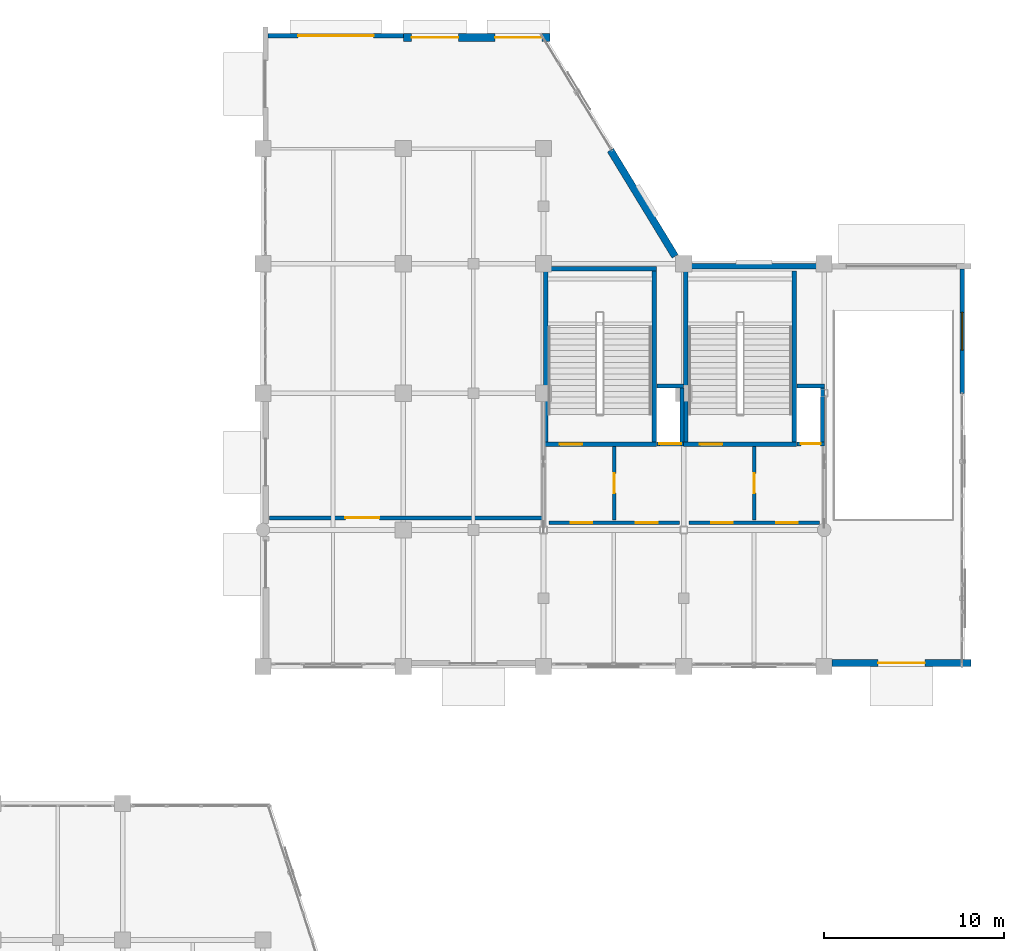
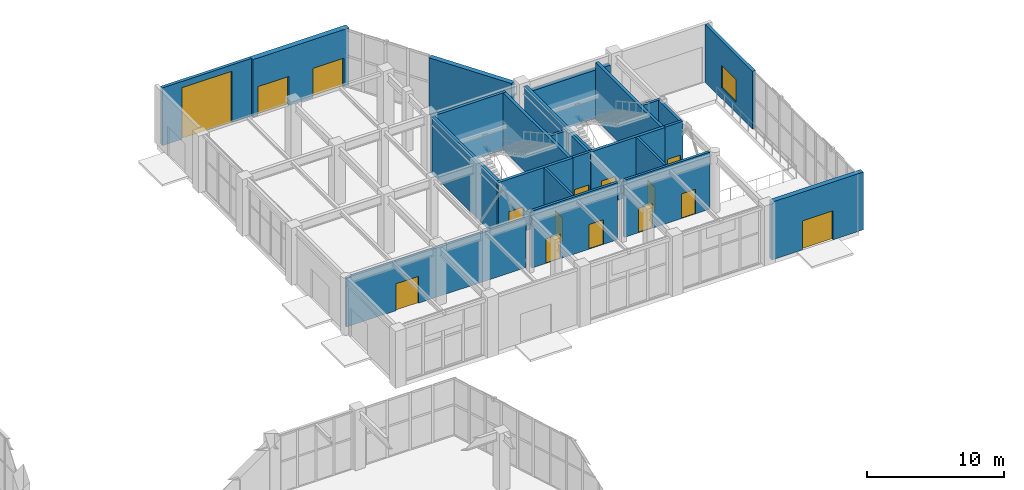
# One storey, part 126 of 139: 24 walls, 15 doors, 1 window, 16 openings.
"""IFC4 building model written with IfcOpenShell, lengths in metres."""

from ifc_helpers import new_model, si_unit, direction, frame, frame_2d, origin, place, context, subcontext, project, spatial, rectangle, extrude, material, layer, layer_set, type_object, element, fill, save


model = new_model("IFC4")

# Units and contexts
model_context = context("Model", 3, precision=1e-05, world=origin(), true_north=direction((0.0, 1.0)))
body_context = subcontext(model_context, "Body", "Model", "MODEL_VIEW")
ifc_project = project(units=[si_unit("LENGTHUNIT", "METRE"), si_unit("AREAUNIT", "SQUARE_METRE"), si_unit("VOLUMEUNIT", "CUBIC_METRE"), si_unit("PLANEANGLEUNIT", "RADIAN"), si_unit("MASSUNIT", "GRAM", prefix="KILO")], contexts=[model_context])

# Site, building, storey
site_placement = place(None, origin())
site = spatial("IfcSite", under=ifc_project, at=site_placement, CompositionType="ELEMENT")
building_placement = place(site_placement, origin())
building = spatial("IfcBuilding", under=site, at=building_placement, Name="Xicomal Pleat Aquarium", CompositionType="ELEMENT")
storey_placement = place(building_placement, origin())
storey = spatial("IfcBuildingStorey", under=building, at=storey_placement, Name="L01", CompositionType="ELEMENT", Elevation=0.0)

# Wall, opening, door
ifc_material_1 = material(Name="Concrete C40/50", Category="concrete")
ifc_layer_1 = layer(ifc_material_1, 0.219970703125)
ifc_layer_set_1 = layer_set([ifc_layer_1], Name="Concrete C40/50")
wall_type_1 = type_object("IfcWallType", Name="WAL-COR-220", PredefinedType="SHEAR", material=ifc_layer_set_1)
wall_1_placement = place(storey_placement, frame((147.89990234375, 88.389892578125, 0.0), z_axis=(0.0, 0.0, 1.0), x_axis=(1.0, 0.0, 0.0)))
wall_1 = element("IfcWall", 1, at=wall_1_placement, inside=storey, type_object=wall_type_1, Name="L01 LF-05 lift shaft wall CW-L01-C5-LS", PredefinedType="SHEAR", context=body_context, shape_type="SweptSolid", body=[
    extrude(rectangle(XDim=1.489990234375, YDim=0.219970703125, at=frame_2d((0.7451171875, 0.0))), origin(), (0.0, 0.0, 1.0), 5.10009765625),
])
opening_1_placement = place(wall_1_placement, frame((0.14501953125, 0.0, 0.0)))
opening_1 = element("IfcOpeningElement", 2, at=opening_1_placement, cuts=wall_1, Name="Opening LD-05-L01", PredefinedType="OPENING", context=body_context, shape_type="SweptSolid", body=[
    extrude(rectangle(XDim=1.199951171875, YDim=2.199951171875, at=frame_2d((0.60009765625, 1.10009765625))), frame((0.0, 0.119873046875, 0.0), z_axis=(0.0, -1.0, 0.0), x_axis=(1.0, 0.0, 0.0)), (0.0, 0.0, 1.0), 0.239990234375),
])
ifc_material_2 = material(Name="Brushed stainless steel 304", Category="steel")
door_type_1 = type_object("IfcDoorType", Name="DOR-LD-1200x2200", OperationType="DOUBLE_DOOR_SLIDING", PredefinedType="DOOR", material=ifc_material_2)
door_1_placement = place(opening_1_placement, origin())
door_1 = element("IfcDoor", 3, at=door_1_placement, inside=storey, type_object=door_type_1, Name="L01 LF-05 sliding lift landing door", OperationType="DOUBLE_DOOR_SLIDING", OverallHeight=2.199951171875, OverallWidth=1.199951171875, PredefinedType="DOOR", context=body_context, shape_type="SweptSolid", body=[
    extrude(rectangle(XDim=1.199951171875, YDim=2.199951171875, at=frame_2d((0.60009765625, 1.10009765625))), frame((0.0, 0.02490234375, 0.0), z_axis=(0.0, -1.0, 0.0), x_axis=(1.0, 0.0, 0.0)), (0.0, 0.0, 1.0), 0.050048828125),
])
fill(opening_1, door_1)

# Walls
wall_2_placement = place(storey_placement, frame((147.89990234375, 91.610107421875, 0.0), z_axis=(0.0, 0.0, 1.0), x_axis=(1.0, 0.0, 0.0)))
element("IfcWall", 4, at=wall_2_placement, inside=storey, type_object=wall_type_1, Name="L01 LF-05 lift shaft wall CW-L01-C5-LN", PredefinedType="SHEAR", context=body_context, shape_type="SweptSolid", body=[
    extrude(rectangle(XDim=1.489990234375, YDim=0.219970703125, at=frame_2d((0.7451171875, 0.0))), origin(), (0.0, 0.0, 1.0), 5.10009765625),
])
wall_3_placement = place(storey_placement, frame((149.31005859375, 88.5, 0.0), z_axis=(0.0, 0.0, 1.0), x_axis=(0.0, 1.0, 0.0)))
element("IfcWall", 5, at=wall_3_placement, inside=storey, type_object=wall_type_1, Name="L01 LF-05 lift shaft wall CW-L01-C5-LE", PredefinedType="SHEAR", context=body_context, shape_type="SweptSolid", body=[
    extrude(rectangle(XDim=3.0, YDim=0.219970703125, at=frame_2d((1.5, 0.0))), origin(), (0.0, 0.0, 1.0), 5.10009765625),
])

# Wall, opening, door
wall_4_placement = place(storey_placement, frame((155.699951171875, 88.389892578125, 0.0), z_axis=(0.0, 0.0, 1.0), x_axis=(1.0, 0.0, 0.0)))
wall_4 = element("IfcWall", 6, at=wall_4_placement, inside=storey, type_object=wall_type_1, Name="L01 LF-06 lift shaft wall CW-L01-C6-LS", PredefinedType="SHEAR", context=body_context, shape_type="SweptSolid", body=[
    extrude(rectangle(XDim=1.52001953125, YDim=0.219970703125, at=frame_2d((0.760009765625, 0.0))), origin(), (0.0, 0.0, 1.0), 5.10009765625),
])
opening_2_placement = place(wall_4_placement, frame((0.2099609375, 0.0, 0.0)))
opening_2 = element("IfcOpeningElement", 7, at=opening_2_placement, cuts=wall_4, Name="Opening LD-06-L01", PredefinedType="OPENING", context=body_context, shape_type="SweptSolid", body=[
    extrude(rectangle(XDim=1.10009765625, YDim=2.14990234375, at=frame_2d((0.550048828125, 1.074951171875))), frame((0.0, 0.119873046875, 0.0), z_axis=(0.0, -1.0, 0.0), x_axis=(1.0, 0.0, 0.0)), (0.0, 0.0, 1.0), 0.239990234375),
])
ifc_material_3 = material(Name="Brushed stainless steel 304", Category="steel")
door_type_2 = type_object("IfcDoorType", Name="DOR-LD-1100x2150", OperationType="DOUBLE_DOOR_SLIDING", PredefinedType="DOOR", material=ifc_material_3)
door_2_placement = place(opening_2_placement, origin())
door_2 = element("IfcDoor", 8, at=door_2_placement, inside=storey, type_object=door_type_2, Name="L01 LF-06 sliding lift landing door", OperationType="DOUBLE_DOOR_SLIDING", OverallHeight=2.14990234375, OverallWidth=1.10009765625, PredefinedType="DOOR", context=body_context, shape_type="SweptSolid", body=[
    extrude(rectangle(XDim=1.10009765625, YDim=2.14990234375, at=frame_2d((0.550048828125, 1.074951171875))), frame((0.0, 0.02490234375, 0.0), z_axis=(0.0, -1.0, 0.0), x_axis=(1.0, 0.0, 0.0)), (0.0, 0.0, 1.0), 0.050048828125),
])
fill(opening_2, door_2)

# Walls
wall_5_placement = place(storey_placement, frame((155.699951171875, 91.610107421875, 0.0), z_axis=(0.0, 0.0, 1.0), x_axis=(1.0, 0.0, 0.0)))
element("IfcWall", 9, at=wall_5_placement, inside=storey, type_object=wall_type_1, Name="L01 LF-06 lift shaft wall CW-L01-C6-LN", PredefinedType="SHEAR", context=body_context, shape_type="SweptSolid", body=[
    extrude(rectangle(XDim=1.52001953125, YDim=0.219970703125, at=frame_2d((0.760009765625, 0.0))), origin(), (0.0, 0.0, 1.0), 5.10009765625),
])
wall_6_placement = place(storey_placement, frame((157.110107421875, 88.5, 0.0), z_axis=(0.0, 0.0, 1.0), x_axis=(0.0, 1.0, 0.0)))
element("IfcWall", 10, at=wall_6_placement, inside=storey, type_object=wall_type_1, Name="L01 LF-06 lift shaft wall CW-L01-C6-LE", PredefinedType="SHEAR", context=body_context, shape_type="SweptSolid", body=[
    extrude(rectangle(XDim=3.0, YDim=0.219970703125, at=frame_2d((1.5, 0.0))), origin(), (0.0, 0.0, 1.0), 5.10009765625),
])

# Wall, opening, door
ifc_material_4 = material(Name="Concrete C40/50", Category="concrete")
ifc_layer_2 = layer(ifc_material_4, 0.25)
ifc_layer_set_2 = layer_set([ifc_layer_2], Name="Concrete C40/50")
wall_type_2 = type_object("IfcWallType", Name="WAL-COR-250", PredefinedType="SHEAR", material=ifc_layer_set_2)
wall_7_placement = place(storey_placement, frame((141.590087890625, 88.375, 0.0), z_axis=(0.0, 0.0, 1.0), x_axis=(1.0, 0.0, 0.0)))
wall_7 = element("IfcWall", 11, at=wall_7_placement, inside=storey, type_object=wall_type_2, Name="L01 CORE-5 stair shear wall CW-L01-C5-SS", PredefinedType="SHEAR", context=body_context, shape_type="SweptSolid", body=[
    extrude(rectangle(XDim=6.280029296875, YDim=0.25, at=frame_2d((3.14013671875, 0.0))), origin(), (0.0, 0.0, 1.0), 5.10009765625),
])
opening_3_placement = place(wall_7_placement, frame((0.89990234375, 0.0, 0.0)))
opening_3 = element("IfcOpeningElement", 12, at=opening_3_placement, cuts=wall_7, Name="Opening SD-05-L01", PredefinedType="OPENING", context=body_context, shape_type="SweptSolid", body=[
    extrude(rectangle(XDim=1.25, YDim=2.199951171875, at=frame_2d((0.625, 1.10009765625))), frame((0.0, 0.135009765625, 0.0), z_axis=(0.0, -1.0, 0.0), x_axis=(1.0, 0.0, 0.0)), (0.0, 0.0, 1.0), 0.27001953125),
])
ifc_material_5 = material(Name="Powder-coated steel fire door", Category="steel")
door_type_3 = type_object("IfcDoorType", Name="DOR-ST-1250x2200", OperationType="NOTDEFINED", PredefinedType="DOOR", material=ifc_material_5)
door_3_placement = place(opening_3_placement, origin())
door_3 = element("IfcDoor", 13, at=door_3_placement, inside=storey, type_object=door_type_3, Name="L01 ST-05 protected stair door", OperationType="SINGLE_SWING_RIGHT", OverallHeight=2.199951171875, OverallWidth=1.25, PredefinedType="DOOR", context=body_context, shape_type="SweptSolid", body=[
    extrude(rectangle(XDim=1.25, YDim=2.199951171875, at=frame_2d((0.625, 1.10009765625))), frame((0.0, 0.02490234375, 0.0), z_axis=(0.0, -1.0, 0.0), x_axis=(1.0, 0.0, 0.0)), (0.0, 0.0, 1.0), 0.050048828125),
])
fill(opening_3, door_3)

# Walls
wall_8_placement = place(storey_placement, frame((141.590087890625, 98.125, 0.0), z_axis=(0.0, 0.0, 1.0), x_axis=(1.0, 0.0, 0.0)))
element("IfcWall", 14, at=wall_8_placement, inside=storey, type_object=wall_type_2, Name="L01 CORE-5 stair shear wall CW-L01-C5-SN", PredefinedType="SHEAR", context=body_context, shape_type="SweptSolid", body=[
    extrude(rectangle(XDim=6.280029296875, YDim=0.25, at=frame_2d((3.14013671875, 0.0))), origin(), (0.0, 0.0, 1.0), 5.10009765625),
])
for number, where, z_axis, x_axis, name in (
    (15, (141.715087890625, 88.5, 0.0), (0.0, 0.0, 1.0), (0.0, 1.0, 0.0), "L01 CORE-5 stair shear wall CW-L01-C5-SW"),
    (16, (147.7451171875, 88.5, 0.0), (0.0, 0.0, 1.0), (0.0, 1.0, 0.0), "L01 CORE-5 stair shear wall CW-L01-C5-SE"),
):
    element("IfcWall", number, at=place(storey_placement, frame(where, z_axis=z_axis, x_axis=x_axis)), inside=storey, type_object=wall_type_2, Name=name, PredefinedType="SHEAR", context=body_context, shape_type="SweptSolid", body=[
        extrude(rectangle(XDim=9.5, YDim=0.25, at=frame_2d((4.75, 0.0))), origin(), (0.0, 0.0, 1.0), 5.10009765625),
    ])

# Wall, opening, door
wall_9_placement = place(storey_placement, frame((149.389892578125, 88.375, 0.0), z_axis=(0.0, 0.0, 1.0), x_axis=(1.0, 0.0, 0.0)))
wall_9 = element("IfcWall", 17, at=wall_9_placement, inside=storey, type_object=wall_type_2, Name="L01 CORE-6 stair shear wall CW-L01-C6-SS", PredefinedType="SHEAR", context=body_context, shape_type="SweptSolid", body=[
    extrude(rectangle(XDim=6.280029296875, YDim=0.25, at=frame_2d((3.14013671875, 0.0))), origin(), (0.0, 0.0, 1.0), 5.10009765625),
])
opening_4_placement = place(wall_9_placement, frame((0.89990234375, 0.0, 0.0)))
opening_4 = element("IfcOpeningElement", 18, at=opening_4_placement, cuts=wall_9, Name="Opening SD-06-L01", PredefinedType="OPENING", context=body_context, shape_type="SweptSolid", body=[
    extrude(rectangle(XDim=1.25, YDim=2.199951171875, at=frame_2d((0.625, 1.10009765625))), frame((0.0, 0.135009765625, 0.0), z_axis=(0.0, -1.0, 0.0), x_axis=(1.0, 0.0, 0.0)), (0.0, 0.0, 1.0), 0.27001953125),
])
door_4_placement = place(opening_4_placement, origin())
door_4 = element("IfcDoor", 19, at=door_4_placement, inside=storey, type_object=door_type_3, Name="L01 ST-06 protected stair door", OperationType="SINGLE_SWING_RIGHT", OverallHeight=2.199951171875, OverallWidth=1.25, PredefinedType="DOOR", context=body_context, shape_type="SweptSolid", body=[
    extrude(rectangle(XDim=1.25, YDim=2.199951171875, at=frame_2d((0.625, 1.10009765625))), frame((0.0, 0.02490234375, 0.0), z_axis=(0.0, -1.0, 0.0), x_axis=(1.0, 0.0, 0.0)), (0.0, 0.0, 1.0), 0.050048828125),
])
fill(opening_4, door_4)

# Walls
for number, where, z_axis, x_axis, name in (
    (20, (149.514892578125, 88.5, 0.0), (0.0, 0.0, 1.0), (0.0, 1.0, 0.0), "L01 CORE-6 stair shear wall CW-L01-C6-SW"),
    (21, (155.544921875, 88.5, 0.0), (0.0, 0.0, 1.0), (0.0, 1.0, 0.0), "L01 CORE-6 stair shear wall CW-L01-C6-SE"),
):
    element("IfcWall", number, at=place(storey_placement, frame(where, z_axis=z_axis, x_axis=x_axis)), inside=storey, type_object=wall_type_2, Name=name, PredefinedType="SHEAR", context=body_context, shape_type="SweptSolid", body=[
        extrude(rectangle(XDim=9.5, YDim=0.25, at=frame_2d((4.75, 0.0))), origin(), (0.0, 0.0, 1.0), 5.10009765625),
    ])

# Wall, opening, door
ifc_material_6 = material(Name="Volcanic basalt recinto masonry and concrete C40/50", Category="masonry")
ifc_layer_3 = layer(ifc_material_6, 0.39990234375)
ifc_layer_set_3 = layer_set([ifc_layer_3], Name="Volcanic basalt recinto masonry and concrete C40/50")
wall_type_3 = type_object("IfcWallType", Name="WAL-EXT-BAS-400", PredefinedType="SOLIDWALL", material=ifc_layer_set_3)
wall_10_placement = place(storey_placement, frame((165.360107421875, 76.199951171875, 0.0), z_axis=(0.0, 0.0, 1.0), x_axis=(-1.0, 0.0, 0.0)))
wall_10 = element("IfcWall", 22, at=wall_10_placement, inside=storey, type_object=wall_type_3, Name="L01 exterior basalt-precast wall EW-L01-105", PredefinedType="SOLIDWALL", context=body_context, shape_type="SweptSolid", body=[
    extrude(rectangle(XDim=7.72509765625, YDim=0.39990234375, at=frame_2d((3.862548828125, 0.0))), origin(), (0.0, 0.0, 1.0), 5.159912109375),
])
opening_5_placement = place(wall_10_placement, frame((2.56298828125, 0.0, 0.0)))
opening_5 = element("IfcOpeningElement", 23, at=opening_5_placement, cuts=wall_10, Name="Opening EX-18", PredefinedType="OPENING", context=body_context, shape_type="SweptSolid", body=[
    extrude(rectangle(XDim=2.60009765625, YDim=2.60009765625, at=frame_2d((1.300048828125, 1.300048828125))), frame((0.0, 0.2099609375, 0.0), z_axis=(0.0, -1.0, 0.0), x_axis=(1.0, 0.0, 0.0)), (0.0, 0.0, 1.0), 0.419921875),
])
ifc_material_7 = material(Name="Bronze anodized aluminium and laminated safety glass", Category="aluminium")
door_type_4 = type_object("IfcDoorType", Name="DOR-EX-2600x2600", OperationType="DOUBLE_DOOR_SINGLE_SWING", PredefinedType="DOOR", material=ifc_material_7)
door_5_placement = place(opening_5_placement, origin())
door_5 = element("IfcDoor", 24, at=door_5_placement, inside=storey, type_object=door_type_4, Name="Ground floor pedestrian final exit door EX-18", OperationType="DOUBLE_DOOR_SINGLE_SWING", OverallHeight=2.60009765625, OverallWidth=2.60009765625, PredefinedType="DOOR", context=body_context, shape_type="SweptSolid", body=[
    extrude(rectangle(XDim=2.60009765625, YDim=2.60009765625, at=frame_2d((1.300048828125, 1.300048828125))), frame((0.0, 0.02490234375, 0.0), z_axis=(0.0, -1.0, 0.0), x_axis=(1.0, 0.0, 0.0)), (0.0, 0.0, 1.0), 0.050048828125),
])
fill(opening_5, door_5)

# Wall
wall_11_placement = place(storey_placement, frame((145.319091796875, 104.712890625, 0.0), z_axis=(0.0, 0.0, 1.0), x_axis=(0.520317846081, -0.853972680505, 0.0)))
element("IfcWall", 25, at=wall_11_placement, inside=storey, type_object=wall_type_3, Name="L01 exterior basalt-precast wall EW-L01-118", PredefinedType="SOLIDWALL", context=body_context, shape_type="SweptSolid", body=[
    extrude(rectangle(XDim=6.9111328125, YDim=0.39990234375, at=frame_2d((3.45556640625, 0.0))), origin(), (0.0, 0.0, 1.0), 5.10009765625),
])

# Wall, openings, doors
ifc_material_8 = material(Name="Volcanic basalt recinto masonry and concrete C40/50", Category="masonry")
ifc_layer_4 = layer(ifc_material_8, 0.445068359375)
ifc_layer_set_4 = layer_set([ifc_layer_4], Name="Volcanic basalt recinto masonry and concrete C40/50")
wall_type_4 = type_object("IfcWallType", Name="WAL-EXT-BAS-445", PredefinedType="SOLIDWALL", material=ifc_layer_set_4)
wall_12_placement = place(storey_placement, frame((133.820068359375, 110.97802734375, 0.0), z_axis=(0.0, 0.0, 1.0), x_axis=(1.0, 0.0, 0.0)))
wall_12 = element("IfcWall", 26, at=wall_12_placement, inside=storey, type_object=wall_type_4, Name="L01 exterior basalt-precast wall EW-L01-116", PredefinedType="SOLIDWALL", context=body_context, shape_type="SweptSolid", body=[
    extrude(rectangle(XDim=8.139892578125, YDim=0.445068359375, at=frame_2d((4.06982421875, 0.0))), origin(), (0.0, 0.0, 1.0), 5.159912109375),
])
opening_6_placement = place(wall_12_placement, frame((0.449951171875, 0.0, 0.0)))
opening_6 = element("IfcOpeningElement", 27, at=opening_6_placement, cuts=wall_12, Name="Opening EX-09", PredefinedType="OPENING", context=body_context, shape_type="SweptSolid", body=[
    extrude(rectangle(XDim=2.60009765625, YDim=2.60009765625, at=frame_2d((1.300048828125, 1.300048828125))), frame((0.0, 0.232421875, 0.0), z_axis=(0.0, -1.0, 0.0), x_axis=(1.0, 0.0, 0.0)), (0.0, 0.0, 1.0), 0.465087890625),
])
opening_7_placement = place(wall_12_placement, frame((5.090087890625, 0.0, 0.0)))
opening_7 = element("IfcOpeningElement", 28, at=opening_7_placement, cuts=wall_12, Name="Opening EX-10", PredefinedType="OPENING", context=body_context, shape_type="SweptSolid", body=[
    extrude(rectangle(XDim=2.60009765625, YDim=2.60009765625, at=frame_2d((1.300048828125, 1.300048828125))), frame((0.0, 0.232421875, 0.0), z_axis=(0.0, -1.0, 0.0), x_axis=(1.0, 0.0, 0.0)), (0.0, 0.0, 1.0), 0.465087890625),
])
door_6_placement = place(opening_6_placement, origin())
door_6 = element("IfcDoor", 29, at=door_6_placement, inside=storey, type_object=door_type_4, Name="Ground floor pedestrian final exit door EX-09", OperationType="DOUBLE_DOOR_SINGLE_SWING", OverallHeight=2.60009765625, OverallWidth=2.60009765625, PredefinedType="DOOR", context=body_context, shape_type="SweptSolid", body=[
    extrude(rectangle(XDim=2.60009765625, YDim=2.60009765625, at=frame_2d((1.300048828125, 1.300048828125))), frame((0.0, 0.02490234375, 0.0), z_axis=(0.0, -1.0, 0.0), x_axis=(1.0, 0.0, 0.0)), (0.0, 0.0, 1.0), 0.050048828125),
])
fill(opening_6, door_6)
door_7_placement = place(opening_7_placement, origin())
door_7 = element("IfcDoor", 30, at=door_7_placement, inside=storey, type_object=door_type_4, Name="Ground floor pedestrian final exit door EX-10", OperationType="DOUBLE_DOOR_SINGLE_SWING", OverallHeight=2.60009765625, OverallWidth=2.60009765625, PredefinedType="DOOR", context=body_context, shape_type="SweptSolid", body=[
    extrude(rectangle(XDim=2.60009765625, YDim=2.60009765625, at=frame_2d((1.300048828125, 1.300048828125))), frame((0.0, 0.02490234375, 0.0), z_axis=(0.0, -1.0, 0.0), x_axis=(1.0, 0.0, 0.0)), (0.0, 0.0, 1.0), 0.050048828125),
])
fill(opening_7, door_7)

# Wall, opening, window
ifc_material_9 = material(Name="Precast concrete C40/50", Category="concrete")
ifc_layer_5 = layer(ifc_material_9, 0.260009765625)
ifc_layer_set_5 = layer_set([ifc_layer_5], Name="Precast concrete C40/50")
wall_type_5 = type_object("IfcWallType", Name="WAL-EXT-PRC-260", PredefinedType="SOLIDWALL", material=ifc_layer_set_5)
wall_13_placement = place(storey_placement, frame((164.8701171875, 98.114990234375, 0.0), z_axis=(0.0, 0.0, 1.0), x_axis=(0.0, -1.0, 0.0)))
wall_13 = element("IfcWall", 31, at=wall_13_placement, inside=storey, type_object=wall_type_5, Name="L01 exterior basalt-precast wall EW-L01-102B", PredefinedType="SOLIDWALL", context=body_context, shape_type="SweptSolid", body=[
    extrude(rectangle(XDim=6.93505859375, YDim=0.260009765625, at=frame_2d((3.467529296875, 0.0))), origin(), (0.0, 0.0, 1.0), 5.159912109375),
])
opening_8_placement = place(wall_13_placement, frame((2.4169921875, 0.0, 0.949951171875)))
opening_8 = element("IfcOpeningElement", 32, at=opening_8_placement, cuts=wall_13, Name="Opening WN-04", PredefinedType="OPENING", context=body_context, shape_type="SweptSolid", body=[
    extrude(rectangle(XDim=2.10009765625, YDim=2.0, at=frame_2d((1.050048828125, 1.0))), frame((0.0, 0.139892578125, 0.0), z_axis=(0.0, -1.0, 0.0), x_axis=(1.0, 0.0, 0.0)), (0.0, 0.0, 1.0), 0.280029296875),
])
ifc_material_10 = material(Name="Insulated low-E laminated glass", Category="glass")
window_type = type_object("IfcWindowType", Name="WIN-EXT-2100x2000", PartitioningType="DOUBLE_PANEL_VERTICAL", PredefinedType="WINDOW", material=ifc_material_10)
window_placement = place(opening_8_placement, origin())
window = element("IfcWindow", 33, at=window_placement, inside=storey, type_object=window_type, Name="L01 thermally broken low-E window 2", OverallHeight=2.0, OverallWidth=2.10009765625, PartitioningType="SINGLE_PANEL", PredefinedType="WINDOW", context=body_context, shape_type="SweptSolid", body=[
    extrude(rectangle(XDim=2.10009765625, YDim=2.0, at=frame_2d((1.050048828125, 1.0))), frame((0.0, 0.030029296875, 0.0), z_axis=(0.0, -1.0, 0.0), x_axis=(1.0, 0.0, 0.0)), (0.0, 0.0, 1.0), 0.06005859375),
])
fill(opening_8, window)

# Wall, opening, door
wall_14_placement = place(storey_placement, frame((126.284912109375, 111.070068359375, 0.0), z_axis=(0.0, 0.0, 1.0), x_axis=(1.0, 0.0, 0.0)))
wall_14 = element("IfcWall", 34, at=wall_14_placement, inside=storey, type_object=wall_type_5, Name="L01 exterior basalt-precast wall EW-L01-115B", PredefinedType="SOLIDWALL", context=body_context, shape_type="SweptSolid", body=[
    extrude(rectangle(XDim=7.53515625, YDim=0.260009765625, at=frame_2d((3.767578125, 0.0))), origin(), (0.0, 0.0, 1.0), 5.159912109375),
])
opening_9_placement = place(wall_14_placement, frame((1.6669921875, 0.0, 0.0)))
opening_9 = element("IfcOpeningElement", 35, at=opening_9_placement, cuts=wall_14, Name="Opening DG-02", PredefinedType="OPENING", context=body_context, shape_type="SweptSolid", body=[
    extrude(rectangle(XDim=4.199951171875, YDim=4.60009765625, at=frame_2d((2.10009765625, 2.300048828125))), frame((0.0, 0.139892578125, 0.0), z_axis=(0.0, -1.0, 0.0), x_axis=(1.0, 0.0, 0.0)), (0.0, 0.0, 1.0), 0.280029296875),
])
ifc_material_11 = material(Name="Galvanized powder-coated steel", Category="steel")
door_type_5 = type_object("IfcDoorType", Name="DOR-GAT-4200x4600", OperationType="ROLLINGUP", PredefinedType="GATE", material=ifc_material_11)
door_8_placement = place(opening_9_placement, origin())
door_8 = element("IfcDoor", 36, at=door_8_placement, inside=storey, type_object=door_type_5, Name="North street animal quarantine loading dock gate DG-02", OperationType="ROLLINGUP", OverallHeight=4.60009765625, OverallWidth=4.199951171875, PredefinedType="GATE", context=body_context, shape_type="SweptSolid", body=[
    extrude(rectangle(XDim=4.199951171875, YDim=4.60009765625, at=frame_2d((2.10009765625, 2.300048828125))), frame((0.0, 0.02490234375, 0.0), z_axis=(0.0, -1.0, 0.0), x_axis=(1.0, 0.0, 0.0)), (0.0, 0.0, 1.0), 0.050048828125),
])
fill(opening_9, door_8)

# Wall
ifc_material_12 = material(Name="Precast concrete C40/50", Category="concrete")
ifc_layer_6 = layer(ifc_material_12, 0.2900390625)
ifc_layer_set_6 = layer_set([ifc_layer_6], Name="Precast concrete C40/50")
wall_type_6 = type_object("IfcWallType", Name="WAL-EXT-PRC-290", PredefinedType="SOLIDWALL", material=ifc_layer_set_6)
wall_15_placement = place(storey_placement, frame((149.8349609375, 98.2548828125, 0.0), z_axis=(0.0, 0.0, 1.0), x_axis=(1.0, 0.0, 0.0)))
element("IfcWall", 37, at=wall_15_placement, inside=storey, type_object=wall_type_6, Name="L01 exterior basalt-precast wall EW-L01-100", PredefinedType="SOLIDWALL", context=body_context, shape_type="SweptSolid", body=[
    extrude(rectangle(XDim=6.929931640625, YDim=0.2900390625, at=frame_2d((3.46484375, 0.0))), origin(), (0.0, 0.0, 1.0), 4.324951171875),
])

# Wall, opening, door
ifc_material_13 = material(Name="Acoustic double-stud drywall partition", Category="gypsum")
ifc_layer_7 = layer(ifc_material_13, 0.195068359375)
ifc_layer_set_7 = layer_set([ifc_layer_7], Name="Acoustic double-stud drywall partition")
wall_type_7 = type_object("IfcWallType", Name="WAL-PRT-195", PredefinedType="PARTITIONING", material=ifc_layer_set_7)
wall_16_placement = place(storey_placement, frame((145.52490234375, 84.14990234375, 0.0), z_axis=(0.0, 0.0, 1.0), x_axis=(0.0, 1.0, 0.0)))
wall_16 = element("IfcWall", 38, at=wall_16_placement, inside=storey, type_object=wall_type_7, Name="L01 firefighting lobby smoke divider 5", PredefinedType="PARTITIONING", context=body_context, shape_type="SweptSolid", body=[
    extrude(rectangle(XDim=4.10009765625, YDim=0.195068359375, at=frame_2d((2.050048828125, 0.0))), origin(), (0.0, 0.0, 1.0), 5.10009765625),
])
opening_10_placement = place(wall_16_placement, frame((1.5, 0.0, 0.0)))
opening_10 = element("IfcOpeningElement", 39, at=opening_10_placement, cuts=wall_16, Name="Opening FD-05C-L01", PredefinedType="OPENING", context=body_context, shape_type="SweptSolid", body=[
    extrude(rectangle(XDim=1.10009765625, YDim=2.14990234375, at=frame_2d((0.550048828125, 1.074951171875))), frame((0.0, 0.107421875, 0.0), z_axis=(0.0, -1.0, 0.0), x_axis=(1.0, 0.0, 0.0)), (0.0, 0.0, 1.0), 0.215087890625),
])
ifc_material_14 = material(Name="Powder-coated steel fire door", Category="steel")
door_type_6 = type_object("IfcDoorType", Name="DOR-LAB-1100x2150", OperationType="NOTDEFINED", PredefinedType="DOOR", material=ifc_material_14)
door_9_placement = place(opening_10_placement, origin())
door_9 = element("IfcDoor", 40, at=door_9_placement, inside=storey, type_object=door_type_6, Name="L01 lobby interconnecting fire door 5C", OperationType="SINGLE_SWING_RIGHT", OverallHeight=2.14990234375, OverallWidth=1.10009765625, PredefinedType="DOOR", context=body_context, shape_type="SweptSolid", body=[
    extrude(rectangle(XDim=1.10009765625, YDim=2.14990234375, at=frame_2d((0.550048828125, 1.074951171875))), frame((0.0, 0.02490234375, 0.0), z_axis=(0.0, -1.0, 0.0), x_axis=(1.0, 0.0, 0.0)), (0.0, 0.0, 1.0), 0.050048828125),
])
fill(opening_10, door_9)

wall_17_placement = place(storey_placement, frame((153.324951171875, 84.14990234375, 0.0), z_axis=(0.0, 0.0, 1.0), x_axis=(0.0, 1.0, 0.0)))
wall_17 = element("IfcWall", 41, at=wall_17_placement, inside=storey, type_object=wall_type_7, Name="L01 firefighting lobby smoke divider 6", PredefinedType="PARTITIONING", context=body_context, shape_type="SweptSolid", body=[
    extrude(rectangle(XDim=4.10009765625, YDim=0.195068359375, at=frame_2d((2.050048828125, 0.0))), origin(), (0.0, 0.0, 1.0), 5.10009765625),
])
opening_11_placement = place(wall_17_placement, frame((1.5, 0.0, 0.0)))
opening_11 = element("IfcOpeningElement", 42, at=opening_11_placement, cuts=wall_17, Name="Opening FD-06C-L01", PredefinedType="OPENING", context=body_context, shape_type="SweptSolid", body=[
    extrude(rectangle(XDim=1.10009765625, YDim=2.14990234375, at=frame_2d((0.550048828125, 1.074951171875))), frame((0.0, 0.107421875, 0.0), z_axis=(0.0, -1.0, 0.0), x_axis=(1.0, 0.0, 0.0)), (0.0, 0.0, 1.0), 0.215087890625),
])
door_10_placement = place(opening_11_placement, origin())
door_10 = element("IfcDoor", 43, at=door_10_placement, inside=storey, type_object=door_type_6, Name="L01 lobby interconnecting fire door 6C", OperationType="SINGLE_SWING_RIGHT", OverallHeight=2.14990234375, OverallWidth=1.10009765625, PredefinedType="DOOR", context=body_context, shape_type="SweptSolid", body=[
    extrude(rectangle(XDim=1.10009765625, YDim=2.14990234375, at=frame_2d((0.550048828125, 1.074951171875))), frame((0.0, 0.02490234375, 0.0), z_axis=(0.0, -1.0, 0.0), x_axis=(1.0, 0.0, 0.0)), (0.0, 0.0, 1.0), 0.050048828125),
])
fill(opening_11, door_10)

# Wall, openings, doors
ifc_material_15 = material(Name="Fire-rated gypsum and mineral-wool partition", Category="gypsum")
ifc_layer_8 = layer(ifc_material_15, 0.2099609375)
ifc_layer_set_8 = layer_set([ifc_layer_8], Name="Fire-rated gypsum and mineral-wool partition")
wall_type_8 = type_object("IfcWallType", Name="WAL-PRT-210", PredefinedType="PARTITIONING", material=ifc_layer_set_8)
wall_18_placement = place(storey_placement, frame((141.89990234375, 84.0, 0.0), z_axis=(0.0, 0.0, 1.0), x_axis=(1.0, 0.0, 0.0)))
wall_18 = element("IfcWall", 44, at=wall_18_placement, inside=storey, type_object=wall_type_8, Name="L01 CORE-5 lobby fire enclosure wall", PredefinedType="PARTITIONING", context=body_context, shape_type="SweptSolid", body=[
    extrude(rectangle(XDim=7.25, YDim=0.2099609375, at=frame_2d((3.625, 0.0))), origin(), (0.0, 0.0, 1.0), 5.10009765625),
])
opening_12_placement = place(wall_18_placement, frame((1.2119140625, 0.0, 0.0)))
opening_12 = element("IfcOpeningElement", 45, at=opening_12_placement, cuts=wall_18, Name="Opening FD-05A-L01", PredefinedType="OPENING", context=body_context, shape_type="SweptSolid", body=[
    extrude(rectangle(XDim=1.199951171875, YDim=2.199951171875, at=frame_2d((0.60009765625, 1.10009765625))), frame((0.0, 0.114990234375, 0.0), z_axis=(0.0, -1.0, 0.0), x_axis=(1.0, 0.0, 0.0)), (0.0, 0.0, 1.0), 0.22998046875),
])
opening_13_placement = place(wall_18_placement, frame((4.837890625, 0.0, 0.0)))
opening_13 = element("IfcOpeningElement", 46, at=opening_13_placement, cuts=wall_18, Name="Opening FD-05B-L01", PredefinedType="OPENING", context=body_context, shape_type="SweptSolid", body=[
    extrude(rectangle(XDim=1.199951171875, YDim=2.199951171875, at=frame_2d((0.60009765625, 1.10009765625))), frame((0.0, 0.114990234375, 0.0), z_axis=(0.0, -1.0, 0.0), x_axis=(1.0, 0.0, 0.0)), (0.0, 0.0, 1.0), 0.22998046875),
])
ifc_material_16 = material(Name="Powder-coated steel fire door", Category="steel")
door_type_7 = type_object("IfcDoorType", Name="DOR-FFL-1200x2200", OperationType="NOTDEFINED", PredefinedType="DOOR", material=ifc_material_16)
door_11_placement = place(opening_12_placement, origin())
door_11 = element("IfcDoor", 47, at=door_11_placement, inside=storey, type_object=door_type_7, Name="L01 firefighting lobby door 5A", OperationType="SINGLE_SWING_RIGHT", OverallHeight=2.199951171875, OverallWidth=1.199951171875, PredefinedType="DOOR", context=body_context, shape_type="SweptSolid", body=[
    extrude(rectangle(XDim=1.199951171875, YDim=2.199951171875, at=frame_2d((0.60009765625, 1.10009765625))), frame((0.0, 0.02490234375, 0.0), z_axis=(0.0, -1.0, 0.0), x_axis=(1.0, 0.0, 0.0)), (0.0, 0.0, 1.0), 0.050048828125),
])
fill(opening_12, door_11)
door_12_placement = place(opening_13_placement, origin())
door_12 = element("IfcDoor", 48, at=door_12_placement, inside=storey, type_object=door_type_7, Name="L01 lift lobby door 5B", OperationType="SINGLE_SWING_LEFT", OverallHeight=2.199951171875, OverallWidth=1.199951171875, PredefinedType="DOOR", context=body_context, shape_type="SweptSolid", body=[
    extrude(rectangle(XDim=1.199951171875, YDim=2.199951171875, at=frame_2d((0.60009765625, 1.10009765625))), frame((0.0, 0.02490234375, 0.0), z_axis=(0.0, -1.0, 0.0), x_axis=(1.0, 0.0, 0.0)), (0.0, 0.0, 1.0), 0.050048828125),
])
fill(opening_13, door_12)

wall_19_placement = place(storey_placement, frame((149.699951171875, 84.0, 0.0), z_axis=(0.0, 0.0, 1.0), x_axis=(1.0, 0.0, 0.0)))
wall_19 = element("IfcWall", 49, at=wall_19_placement, inside=storey, type_object=wall_type_8, Name="L01 CORE-6 lobby fire enclosure wall", PredefinedType="PARTITIONING", context=body_context, shape_type="SweptSolid", body=[
    extrude(rectangle(XDim=7.25, YDim=0.2099609375, at=frame_2d((3.625, 0.0))), origin(), (0.0, 0.0, 1.0), 5.10009765625),
])
opening_14_placement = place(wall_19_placement, frame((1.2119140625, 0.0, 0.0)))
opening_14 = element("IfcOpeningElement", 50, at=opening_14_placement, cuts=wall_19, Name="Opening FD-06A-L01", PredefinedType="OPENING", context=body_context, shape_type="SweptSolid", body=[
    extrude(rectangle(XDim=1.199951171875, YDim=2.199951171875, at=frame_2d((0.60009765625, 1.10009765625))), frame((0.0, 0.114990234375, 0.0), z_axis=(0.0, -1.0, 0.0), x_axis=(1.0, 0.0, 0.0)), (0.0, 0.0, 1.0), 0.22998046875),
])
opening_15_placement = place(wall_19_placement, frame((4.837890625, 0.0, 0.0)))
opening_15 = element("IfcOpeningElement", 51, at=opening_15_placement, cuts=wall_19, Name="Opening FD-06B-L01", PredefinedType="OPENING", context=body_context, shape_type="SweptSolid", body=[
    extrude(rectangle(XDim=1.199951171875, YDim=2.199951171875, at=frame_2d((0.60009765625, 1.10009765625))), frame((0.0, 0.114990234375, 0.0), z_axis=(0.0, -1.0, 0.0), x_axis=(1.0, 0.0, 0.0)), (0.0, 0.0, 1.0), 0.22998046875),
])
door_13_placement = place(opening_14_placement, origin())
door_13 = element("IfcDoor", 52, at=door_13_placement, inside=storey, type_object=door_type_7, Name="L01 firefighting lobby door 6A", OperationType="SINGLE_SWING_RIGHT", OverallHeight=2.199951171875, OverallWidth=1.199951171875, PredefinedType="DOOR", context=body_context, shape_type="SweptSolid", body=[
    extrude(rectangle(XDim=1.199951171875, YDim=2.199951171875, at=frame_2d((0.60009765625, 1.10009765625))), frame((0.0, 0.02490234375, 0.0), z_axis=(0.0, -1.0, 0.0), x_axis=(1.0, 0.0, 0.0)), (0.0, 0.0, 1.0), 0.050048828125),
])
fill(opening_14, door_13)
door_14_placement = place(opening_15_placement, origin())
door_14 = element("IfcDoor", 53, at=door_14_placement, inside=storey, type_object=door_type_7, Name="L01 lift lobby door 6B", OperationType="SINGLE_SWING_LEFT", OverallHeight=2.199951171875, OverallWidth=1.199951171875, PredefinedType="DOOR", context=body_context, shape_type="SweptSolid", body=[
    extrude(rectangle(XDim=1.199951171875, YDim=2.199951171875, at=frame_2d((0.60009765625, 1.10009765625))), frame((0.0, 0.02490234375, 0.0), z_axis=(0.0, -1.0, 0.0), x_axis=(1.0, 0.0, 0.0)), (0.0, 0.0, 1.0), 0.050048828125),
])
fill(opening_15, door_14)

# Wall, opening, door
wall_20_placement = place(storey_placement, frame((126.3720703125, 84.27001953125, 0.0), z_axis=(0.0, 0.0, 1.0), x_axis=(1.0, 0.0, 0.0)))
wall_20 = element("IfcWall", 54, at=wall_20_placement, inside=storey, type_object=wall_type_8, Name="L01 interior partition PT-L01-035", PredefinedType="PARTITIONING", context=body_context, shape_type="SweptSolid", body=[
    extrude(rectangle(XDim=15.16796875, YDim=0.2099609375, at=frame_2d((7.583984375, 0.0))), origin(), (0.0, 0.0, 1.0), 4.402099609375),
])
opening_16_placement = place(wall_20_placement, frame((4.20703125, 0.0, 0.0)))
opening_16 = element("IfcOpeningElement", 55, at=opening_16_placement, cuts=wall_20, Name="Opening DR-L01-018", PredefinedType="OPENING", context=body_context, shape_type="SweptSolid", body=[
    extrude(rectangle(XDim=1.89990234375, YDim=2.39990234375, at=frame_2d((0.949951171875, 1.199951171875))), frame((0.0, 0.114990234375, 0.0), z_axis=(0.0, -1.0, 0.0), x_axis=(1.0, 0.0, 0.0)), (0.0, 0.0, 1.0), 0.22998046875),
])
ifc_material_17 = material(Name="Powder-coated steel fire door", Category="steel")
door_type_8 = type_object("IfcDoorType", Name="DOR-INT-1900x2400", OperationType="DOUBLE_DOOR_SINGLE_SWING", PredefinedType="DOOR", material=ifc_material_17)
door_15_placement = place(opening_16_placement, origin())
door_15 = element("IfcDoor", 56, at=door_15_placement, inside=storey, type_object=door_type_8, Name="L01 Veterinary Quarantine and Husbandry Suite door DR-L01-018", OperationType="DOUBLE_DOOR_SINGLE_SWING", OverallHeight=2.39990234375, OverallWidth=1.89990234375, PredefinedType="DOOR", context=body_context, shape_type="SweptSolid", body=[
    extrude(rectangle(XDim=1.89990234375, YDim=2.39990234375, at=frame_2d((0.949951171875, 1.199951171875))), frame((0.0, 0.02490234375, 0.0), z_axis=(0.0, -1.0, 0.0), x_axis=(1.0, 0.0, 0.0)), (0.0, 0.0, 1.0), 0.050048828125),
])
fill(opening_16, door_15)

save(model, "model.ifc")
